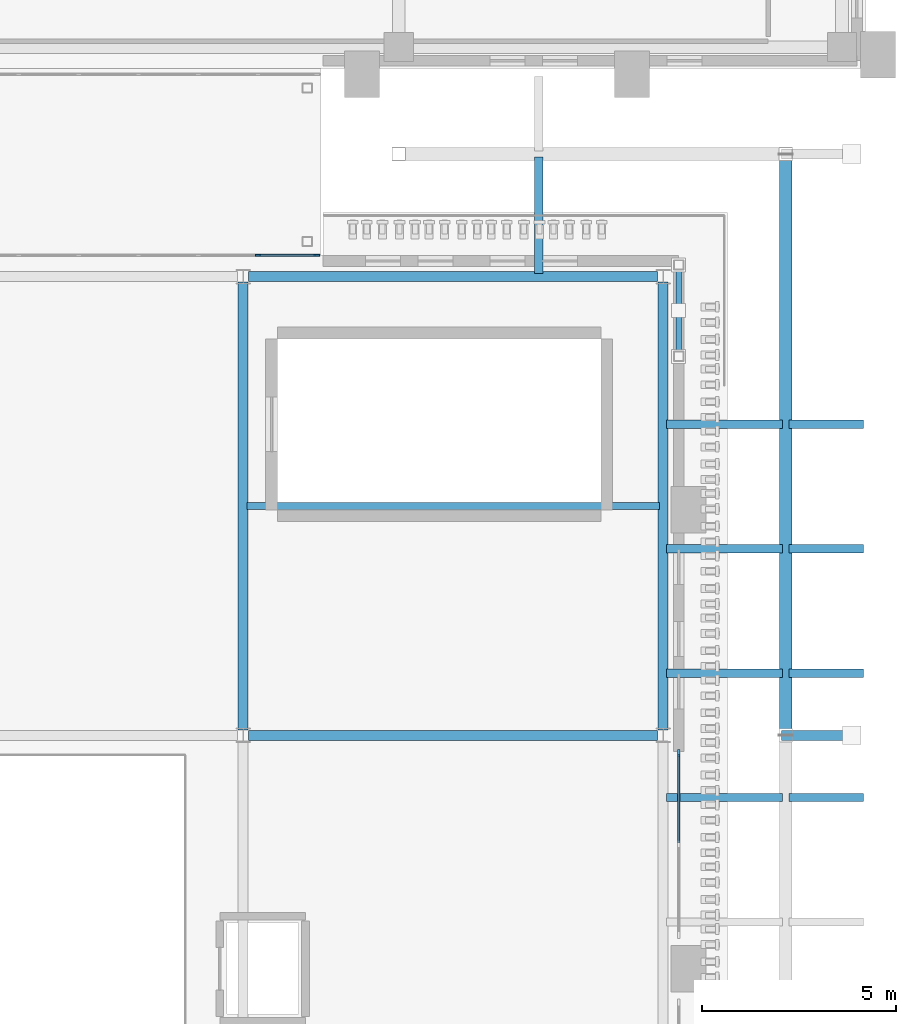
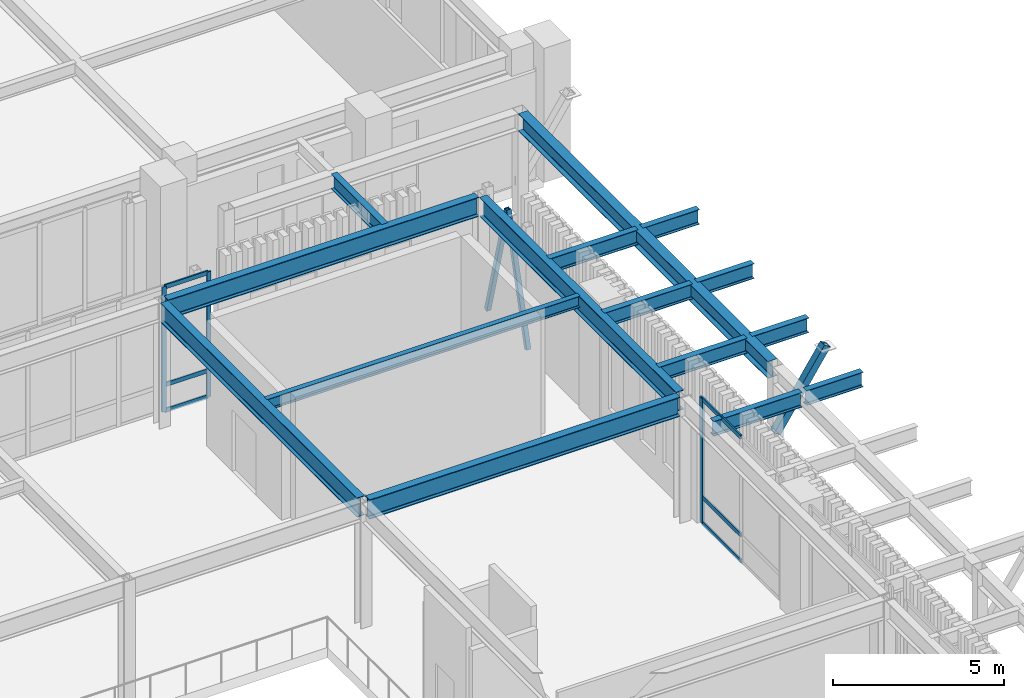
# One storey, part 59 of 126: 15 beams, 12 members, 2 elements without a shape of their own.
"""IFC4 building model written with IfcOpenShell, lengths in metres."""

from ifc_helpers import new_model, si_unit, derived_unit, direction, frame, origin, origin_2d, place, context, subcontext, project, spatial, rectangle, hollow_rectangle, i_section, extrude, material, layer, layer_set, material_profile, profile_set, type_object, element, aggregate, save


model = new_model("IFC4")

# Units and contexts
model_context = context("Model", 3, precision=1e-05, world=origin(), true_north=direction((0.0, 1.0)))
body_context = subcontext(model_context, "Body", "Model", "MODEL_VIEW")
ifc_project = project(units=[si_unit("LENGTHUNIT", "METRE"), si_unit("AREAUNIT", "SQUARE_METRE"), si_unit("VOLUMEUNIT", "CUBIC_METRE"), si_unit("PLANEANGLEUNIT", "RADIAN"), si_unit("MASSUNIT", "GRAM", prefix="KILO"), derived_unit("THERMALTRANSMITTANCEUNIT", [(si_unit("MASSUNIT", "GRAM", prefix="KILO"), 1), (si_unit("TIMEUNIT", "SECOND"), -3), (si_unit("THERMODYNAMICTEMPERATUREUNIT", "KELVIN"), -1)])], contexts=[model_context])

# Site, building, storey
site_placement = place(None, origin())
site = spatial("IfcSite", under=ifc_project, at=site_placement, CompositionType="ELEMENT")
building_placement = place(site_placement, origin())
building = spatial("IfcBuilding", under=site, at=building_placement, Name="Valcora Ridge Arena", CompositionType="ELEMENT")
storey_placement = place(building_placement, frame((0.0, 0.0, 11.39990234375)))
storey = spatial("IfcBuildingStorey", under=building, at=storey_placement, Name="L02", CompositionType="ELEMENT", Elevation=11.39990234375)

# Beams
ifc_material_1 = material(Name="Steel ASTM A572 Grade 50", Category="steel")
ifc_material_profile_1 = material_profile(ifc_material_1, i_section(OverallWidth=0.324951171875, OverallDepth=0.612060546875, WebThickness=0.0126953125, FlangeThickness=0.01904296875, FilletRadius=0.01806640625, at=origin_2d()), Name="W24X104")
ifc_profile_set_1 = profile_set([ifc_material_profile_1], Name="Steel ASTM A572 Grade 50")
beam_type_1 = type_object("IfcBeamType", Name="TY-BEAM-G-COL-W24", PredefinedType="BEAM", material=ifc_profile_set_1)
beam_1_placement = place(storey_placement, frame((189.949951171875, 66.159912109375, 4.174072265625), z_axis=(0.0, 1.0, 0.0), x_axis=(-1.0, 0.0, 0.0)))
element("IfcBeam", 1, at=beam_1_placement, inside=storey, type_object=beam_type_1, Name="G-COL-W24 BEM-G-COL-W24-0012", PredefinedType="BEAM", context=body_context, shape_type="SweptSolid", body=[
    extrude(i_section(OverallWidth=0.324951171875, OverallDepth=0.612060546875, WebThickness=0.0126953125, FlangeThickness=0.01904296875, FilletRadius=0.01806640625, at=origin_2d()), origin(), (0.0, 0.0, 1.0), 14.630126953125),
])
ifc_material_profile_2 = material_profile(ifc_material_1, i_section(OverallWidth=0.256103515625, OverallDepth=0.693115234375, WebThickness=0.014404296875, FlangeThickness=0.023681640625, FilletRadius=0.02001953125, at=origin_2d()), Name="W27X114")
ifc_profile_set_2 = profile_set([ifc_material_profile_2], Name="Steel ASTM A572 Grade 50")
beam_type_2 = type_object("IfcBeamType", Name="TY-BEAM-G-W27X114-X", PredefinedType="BEAM", material=ifc_profile_set_2)
beam_2_placement = place(storey_placement, frame((176.139892578125, 66.0, 4.133544921875), z_axis=(1.0, 0.0, 0.0), x_axis=(0.0, 1.0, 0.0)))
element("IfcBeam", 2, at=beam_2_placement, inside=storey, type_object=beam_type_2, Name="G-W27X114-X BEM-G-W27X114-X-0051", PredefinedType="BEAM", context=body_context, shape_type="SweptSolid", body=[
    extrude(i_section(OverallWidth=0.256103515625, OverallDepth=0.693115234375, WebThickness=0.014404296875, FlangeThickness=0.023681640625, FilletRadius=0.02001953125, at=origin_2d()), origin(), (0.0, 0.0, 1.0), 10.52001953125),
])
ifc_material_profile_3 = material_profile(ifc_material_1, i_section(OverallWidth=0.256103515625, OverallDepth=0.693115234375, WebThickness=0.014404296875, FlangeThickness=0.023681640625, FilletRadius=0.02001953125, at=origin_2d()), Name="W27X114")
ifc_profile_set_3 = profile_set([ifc_material_profile_3], Name="Steel ASTM A572 Grade 50")
beam_type_3 = type_object("IfcBeamType", Name="TY-BEAM-G-W27X114-Y", PredefinedType="BEAM", material=ifc_profile_set_3)
for number, where, z_axis, x_axis, name in (
    (3, (176.0, 66.139892578125, 4.133544921875), (0.0, 1.0, 0.0), (-1.0, 0.0, 0.0), "G-W27X114-Y BEM-G-W27X114-Y-0078"),
    (4, (186.800048828125, 66.139892578125, 4.133544921875), (0.0, 1.0, 0.0), (-1.0, 0.0, 0.0), "G-W27X114-Y BEM-G-W27X114-Y-0084"),
):
    element("IfcBeam", number, at=place(storey_placement, frame(where, z_axis=z_axis, x_axis=x_axis)), inside=storey, type_object=beam_type_3, Name=name, PredefinedType="BEAM", context=body_context, shape_type="SweptSolid", body=[
        extrude(i_section(OverallWidth=0.256103515625, OverallDepth=0.693115234375, WebThickness=0.014404296875, FlangeThickness=0.023681640625, FilletRadius=0.02001953125, at=origin_2d()), origin(), (0.0, 0.0, 1.0), 11.52001953125),
    ])
ifc_material_profile_4 = material_profile(ifc_material_1, i_section(OverallWidth=0.177978515625, OverallDepth=0.406005859375, WebThickness=0.0078125, FlangeThickness=0.0126953125, FilletRadius=0.013916015625, at=origin_2d()), Name="W16X40")
ifc_profile_set_4 = profile_set([ifc_material_profile_4], Name="Steel ASTM A572 Grade 50")
beam_type_4 = type_object("IfcBeamType", Name="TY-BEAM-J-W16X40", PredefinedType="JOIST", material=ifc_profile_set_4)
beam_3_placement = place(storey_placement, frame((176.10009765625, 71.89990234375, 4.277099609375), z_axis=(1.0, 0.0, 0.0), x_axis=(0.0, 1.0, 0.0)))
element("IfcBeam", 5, at=beam_3_placement, inside=storey, type_object=beam_type_4, Name="J-W16X40 BEM-J-W16X40-0023", PredefinedType="JOIST", context=body_context, shape_type="SweptSolid", body=[
    extrude(i_section(OverallWidth=0.177978515625, OverallDepth=0.406005859375, WebThickness=0.0078125, FlangeThickness=0.0126953125, FilletRadius=0.013916015625, at=origin_2d()), origin(), (0.0, 0.0, 1.0), 10.599853515625),
])
ifc_material_profile_5 = material_profile(ifc_material_1, i_section(OverallWidth=0.208984375, OverallDepth=0.532958984375, WebThickness=0.01025390625, FlangeThickness=0.015625, FilletRadius=0.01611328125, at=origin_2d()), Name="W21X62")
ifc_profile_set_5 = profile_set([ifc_material_profile_5], Name="Steel ASTM A572 Grade 50")
beam_type_5 = type_object("IfcBeamType", Name="TY-BEAM-RAF-EAVE-W21E", PredefinedType="BEAM", material=ifc_profile_set_5)
for number, where, z_axis, x_axis, name in (
    (6, (186.8798828125, 64.39990234375, 4.213623046875), (1.0, 0.0, 0.0), (0.0, 1.0, 0.0), "RAF-EAVE-W21E BEM-RAF-EAVE-W21E-0018"),
    (7, (186.8798828125, 67.60009765625, 4.213623046875), (1.0, 0.0, 0.0), (0.0, 1.0, 0.0), "RAF-EAVE-W21E BEM-RAF-EAVE-W21E-0019"),
    (8, (186.8798828125, 70.800048828125, 4.213623046875), (1.0, 0.0, 0.0), (0.0, 1.0, 0.0), "RAF-EAVE-W21E BEM-RAF-EAVE-W21E-0020"),
    (9, (186.8798828125, 74.0, 4.213623046875), (1.0, 0.0, 0.0), (0.0, 1.0, 0.0), "RAF-EAVE-W21E BEM-RAF-EAVE-W21E-0021"),
):
    element("IfcBeam", number, at=place(storey_placement, frame(where, z_axis=z_axis, x_axis=x_axis)), inside=storey, type_object=beam_type_5, Name=name, PredefinedType="BEAM", context=body_context, shape_type="SweptSolid", body=[
        extrude(i_section(OverallWidth=0.208984375, OverallDepth=0.532958984375, WebThickness=0.01025390625, FlangeThickness=0.015625, FilletRadius=0.01611328125, at=origin_2d()), origin(), (0.0, 0.0, 1.0), 2.990234375),
    ])
ifc_material_profile_6 = material_profile(ifc_material_1, i_section(OverallWidth=0.208984375, OverallDepth=0.532958984375, WebThickness=0.01025390625, FlangeThickness=0.015625, FilletRadius=0.01611328125, at=origin_2d()), Name="W21X62")
ifc_profile_set_6 = profile_set([ifc_material_profile_6], Name="Steel ASTM A572 Grade 50")
beam_type_6 = type_object("IfcBeamType", Name="TY-BEAM-RAF-EAVE-W21N", PredefinedType="BEAM", material=ifc_profile_set_6)
beam_4_placement = place(storey_placement, frame((183.60009765625, 77.8798828125, 4.213623046875), z_axis=(0.0, 1.0, 0.0), x_axis=(-1.0, 0.0, 0.0)))
element("IfcBeam", 10, at=beam_4_placement, inside=storey, type_object=beam_type_6, Name="RAF-EAVE-W21N BEM-RAF-EAVE-W21N-0007", PredefinedType="BEAM", context=body_context, shape_type="SweptSolid", body=[
    extrude(i_section(OverallWidth=0.208984375, OverallDepth=0.532958984375, WebThickness=0.01025390625, FlangeThickness=0.015625, FilletRadius=0.01611328125, at=origin_2d()), origin(), (0.0, 0.0, 1.0), 2.990234375),
])
ifc_material_profile_7 = material_profile(ifc_material_1, i_section(OverallWidth=0.208984375, OverallDepth=0.532958984375, WebThickness=0.01025390625, FlangeThickness=0.015625, FilletRadius=0.01611328125, at=origin_2d()), Name="W21X62")
ifc_profile_set_7 = profile_set([ifc_material_profile_7], Name="Steel ASTM A572 Grade 50")
beam_type_7 = type_object("IfcBeamType", Name="TY-BEAM-RAF-TIP-W21E", PredefinedType="BEAM", material=ifc_profile_set_7)
for number, where, z_axis, x_axis, name in (
    (11, (190.030029296875, 64.39990234375, 4.213623046875), (1.0, 0.0, 0.0), (0.0, 1.0, 0.0), "RAF-TIP-W21E BEM-RAF-TIP-W21E-0018"),
    (12, (190.030029296875, 67.60009765625, 4.213623046875), (1.0, 0.0, 0.0), (0.0, 1.0, 0.0), "RAF-TIP-W21E BEM-RAF-TIP-W21E-0019"),
    (13, (190.030029296875, 70.800048828125, 4.213623046875), (1.0, 0.0, 0.0), (0.0, 1.0, 0.0), "RAF-TIP-W21E BEM-RAF-TIP-W21E-0020"),
    (14, (190.030029296875, 74.0, 4.213623046875), (1.0, 0.0, 0.0), (0.0, 1.0, 0.0), "RAF-TIP-W21E BEM-RAF-TIP-W21E-0021"),
):
    element("IfcBeam", number, at=place(storey_placement, frame(where, z_axis=z_axis, x_axis=x_axis)), inside=storey, type_object=beam_type_7, Name=name, PredefinedType="BEAM", context=body_context, shape_type="SweptSolid", body=[
        extrude(i_section(OverallWidth=0.208984375, OverallDepth=0.532958984375, WebThickness=0.01025390625, FlangeThickness=0.015625, FilletRadius=0.01611328125, at=origin_2d()), origin(), (0.0, 0.0, 1.0), 1.919921875),
    ])
ifc_material_profile_8 = material_profile(ifc_material_1, i_section(OverallWidth=0.256103515625, OverallDepth=0.693115234375, WebThickness=0.014404296875, FlangeThickness=0.023681640625, FilletRadius=0.02001953125, at=origin_2d()), Name="W27X114")
ifc_profile_set_8 = profile_set([ifc_material_profile_8], Name="Steel ASTM A572 Grade 50")
beam_type_8 = type_object("IfcBeamType", Name="TY-BEAM-SP-W27X114", PredefinedType="SPANDREL", material=ifc_profile_set_8)
beam_5_placement = place(storey_placement, frame((176.139892578125, 77.800048828125, 4.133544921875), z_axis=(1.0, 0.0, 0.0), x_axis=(0.0, 1.0, 0.0)))
element("IfcBeam", 15, at=beam_5_placement, inside=storey, type_object=beam_type_8, Name="SP-W27X114 BEM-SP-W27X114-0030", PredefinedType="SPANDREL", context=body_context, shape_type="SweptSolid", body=[
    extrude(i_section(OverallWidth=0.256103515625, OverallDepth=0.693115234375, WebThickness=0.014404296875, FlangeThickness=0.023681640625, FilletRadius=0.02001953125, at=origin_2d()), origin(), (0.0, 0.0, 1.0), 10.52001953125),
])

# Curtain wall, members
ifc_material_2 = material(Name="Anodised dark bronze architectural aluminium 6063-T6", Category="aluminium")
ifc_layer_1 = layer(ifc_material_2, 0.14990234375, Name="Anodised dark bronze architectural aluminium 6063-T6")
ifc_layer_set_1 = layer_set([ifc_layer_1], Name="Anodised dark bronze architectural aluminium 6063-T6")
curtain_wall_type_1 = type_object("IfcCurtainWallType", Name="TY-CURTAINWALL-CW-BRG-138X45", PredefinedType="NOTDEFINED", material=ifc_layer_set_1)
curtain_wall_1_placement = place(storey_placement, origin())
curtain_wall_1 = element("IfcCurtainWall", 16, at=curtain_wall_1_placement, inside=storey, type_object=curtain_wall_type_1, Name="CW-BRG-138X45 CW-0358", PredefinedType="NOTDEFINED")
ifc_material_profile_9 = material_profile(ifc_material_2, rectangle(XDim=0.050048828125, YDim=0.14990234375, at=origin_2d()), Name="ALU MULLION 50x150")
ifc_profile_set_9 = profile_set([ifc_material_profile_9], Name="Anodised dark bronze architectural aluminium 6063-T6")
member_type_1 = type_object("IfcMemberType", Name="TY-MEM-CWM-50x150", PredefinedType="MULLION", material=ifc_profile_set_9)
member_1_placement = place(storey_placement, frame((176.382080078125, 78.35009765625, 0.0), z_axis=(0.0, 0.0, 1.0), x_axis=(0.0, 1.0, 0.0)))
member_1 = element("IfcMember", 17, at=member_1_placement, type_object=member_type_1, Name="CW-0358/CWM-50x150/M08", PredefinedType="MULLION", context=body_context, shape_type="SweptSolid", body=[
    extrude(rectangle(XDim=0.050048828125, YDim=0.14990234375, at=origin_2d()), origin(), (0.0, 0.0, 1.0), 4.47998046875),
])
member_2_placement = place(storey_placement, frame((177.89501953125, 78.35009765625, 0.0), z_axis=(0.0, 0.0, 1.0), x_axis=(0.0, 1.0, 0.0)))
member_2 = element("IfcMember", 18, at=member_2_placement, type_object=member_type_1, Name="CW-0358/CWM-50x150/M09", PredefinedType="MULLION", context=body_context, shape_type="SweptSolid", body=[
    extrude(rectangle(XDim=0.050048828125, YDim=0.14990234375, at=origin_2d()), origin(), (0.0, 0.0, 1.0), 4.47998046875),
])

ifc_layer_2 = layer(ifc_material_2, 0.179931640625, Name="Anodised dark bronze architectural aluminium 6063-T6")
ifc_layer_set_2 = layer_set([ifc_layer_2], Name="Anodised dark bronze architectural aluminium 6063-T6")
curtain_wall_type_2 = type_object("IfcCurtainWallType", Name="TY-CURTAINWALL-CW-V2-GLAZ-047X45", PredefinedType="NOTDEFINED", material=ifc_layer_set_2)
curtain_wall_2_placement = place(storey_placement, origin())
curtain_wall_2 = element("IfcCurtainWall", 19, at=curtain_wall_2_placement, inside=storey, type_object=curtain_wall_type_2, Name="CW-V2-GLAZ-047X45 CW-0078", PredefinedType="NOTDEFINED")
ifc_material_profile_10 = material_profile(ifc_material_2, rectangle(XDim=0.06005859375, YDim=0.179931640625, at=origin_2d()), Name="ALU MULLION 60x180")
ifc_profile_set_10 = profile_set([ifc_material_profile_10], Name="Anodised dark bronze architectural aluminium 6063-T6")
member_type_2 = type_object("IfcMemberType", Name="TY-MEM-CWM-60x180", PredefinedType="MULLION", material=ifc_profile_set_10)
member_3_placement = place(storey_placement, frame((187.199951171875, 65.54345703125, 0.0), z_axis=(0.0, 0.0, 1.0), x_axis=(-1.0, 0.0, 0.0)))
member_3 = element("IfcMember", 20, at=member_3_placement, type_object=member_type_2, Name="CW-0078/CWM-60x180/M02", PredefinedType="MULLION", context=body_context, shape_type="SweptSolid", body=[
    extrude(rectangle(XDim=0.06005859375, YDim=0.179931640625, at=origin_2d()), origin(), (0.0, 0.0, 1.0), 4.47998046875),
])
ifc_material_profile_11 = material_profile(ifc_material_2, rectangle(XDim=0.050048828125, YDim=0.14990234375, at=origin_2d()), Name="ALU TRANSOM 50x150")
ifc_profile_set_11 = profile_set([ifc_material_profile_11], Name="Anodised dark bronze architectural aluminium 6063-T6")
member_type_3 = type_object("IfcMemberType", Name="TY-MEM-CWT-50x150", PredefinedType="USERDEFINED", material=ifc_profile_set_11)
member_4_placement = place(storey_placement, frame((187.199951171875, 63.237060546875, 0.025146484375), z_axis=(0.0, 1.0, 0.0), x_axis=(-1.0, 0.0, 0.0)))
member_4 = element("IfcMember", 21, at=member_4_placement, type_object=member_type_3, Name="CW-0078/CWT-50x150/T01-00", ObjectType="TRANSOM", PredefinedType="USERDEFINED", context=body_context, shape_type="SweptSolid", body=[
    extrude(rectangle(XDim=0.050048828125, YDim=0.14990234375, at=origin_2d()), origin(), (0.0, 0.0, 1.0), 2.27587890625),
])
member_5_placement = place(storey_placement, frame((187.199951171875, 63.237060546875, 0.9501953125), z_axis=(0.0, 1.0, 0.0), x_axis=(-1.0, 0.0, 0.0)))
member_5 = element("IfcMember", 22, at=member_5_placement, type_object=member_type_3, Name="CW-0078/CWT-50x150/T01-01", ObjectType="TRANSOM", PredefinedType="USERDEFINED", context=body_context, shape_type="SweptSolid", body=[
    extrude(rectangle(XDim=0.050048828125, YDim=0.14990234375, at=origin_2d()), origin(), (0.0, 0.0, 1.0), 2.27587890625),
])
member_6_placement = place(storey_placement, frame((187.199951171875, 63.237060546875, 4.455078125), z_axis=(0.0, 1.0, 0.0), x_axis=(-1.0, 0.0, 0.0)))
member_6 = element("IfcMember", 23, at=member_6_placement, type_object=member_type_3, Name="CW-0078/CWT-50x150/T01-02", ObjectType="TRANSOM", PredefinedType="USERDEFINED", context=body_context, shape_type="SweptSolid", body=[
    extrude(rectangle(XDim=0.050048828125, YDim=0.14990234375, at=origin_2d()), origin(), (0.0, 0.0, 1.0), 2.27587890625),
])
aggregate(curtain_wall_2, [member_3, member_4, member_5, member_6])

# Member
member_7_placement = place(storey_placement, frame((176.406982421875, 78.35009765625, 0.025146484375), z_axis=(1.0, 0.0, 0.0), x_axis=(0.0, 1.0, 0.0)))
member_7 = element("IfcMember", 24, at=member_7_placement, type_object=member_type_3, Name="CW-0358/CWT-50x150/T08-00", ObjectType="TRANSOM", PredefinedType="USERDEFINED", context=body_context, shape_type="SweptSolid", body=[
    extrude(rectangle(XDim=0.050048828125, YDim=0.14990234375, at=origin_2d()), origin(), (0.0, 0.0, 1.0), 1.463134765625),
])

member_8_placement = place(storey_placement, frame((176.406982421875, 78.35009765625, 0.9501953125), z_axis=(1.0, 0.0, 0.0), x_axis=(0.0, 1.0, 0.0)))
member_8 = element("IfcMember", 25, at=member_8_placement, type_object=member_type_3, Name="CW-0358/CWT-50x150/T08-01", ObjectType="TRANSOM", PredefinedType="USERDEFINED", context=body_context, shape_type="SweptSolid", body=[
    extrude(rectangle(XDim=0.050048828125, YDim=0.14990234375, at=origin_2d()), origin(), (0.0, 0.0, 1.0), 1.463134765625),
])

member_9_placement = place(storey_placement, frame((176.406982421875, 78.35009765625, 4.455078125), z_axis=(1.0, 0.0, 0.0), x_axis=(0.0, 1.0, 0.0)))
member_9 = element("IfcMember", 26, at=member_9_placement, type_object=member_type_3, Name="CW-0358/CWT-50x150/T08-02", ObjectType="TRANSOM", PredefinedType="USERDEFINED", context=body_context, shape_type="SweptSolid", body=[
    extrude(rectangle(XDim=0.050048828125, YDim=0.14990234375, at=origin_2d()), origin(), (0.0, 0.0, 1.0), 1.463134765625),
])

aggregate(curtain_wall_1, [member_1, member_2, member_7, member_8, member_9])

# Members
ifc_material_3 = material(Name="Steel ASTM A500 Grade C", Category="steel")
ifc_material_profile_12 = material_profile(ifc_material_3, hollow_rectangle(XDim=0.14990234375, YDim=0.14990234375, WallThickness=0.010009765625, at=origin_2d()), Name="HSS150X150X10")
ifc_profile_set_12 = profile_set([ifc_material_profile_12], Name="Steel ASTM A500 Grade C")
member_type_4 = type_object("IfcMemberType", Name="TY-MEMBER-CBF-150A", PredefinedType="BRACE", material=ifc_profile_set_12)
member_10_placement = place(storey_placement, frame((187.199951171875, 75.75, 0.02001953125), z_axis=(0.0, 0.263599333095, 0.96463225718), x_axis=(-1.0, 0.0, 0.0)))
element("IfcMember", 27, at=member_10_placement, inside=storey, type_object=member_type_4, Name="CBF-150A Diagonal Brace", PredefinedType="BRACE", context=body_context, shape_type="SweptSolid", body=[
    extrude(hollow_rectangle(XDim=0.14990234375, YDim=0.14990234375, WallThickness=0.010009765625, at=origin_2d()), origin(), (0.0, 0.0, 1.0), 4.457763671875),
])
ifc_material_profile_13 = material_profile(ifc_material_3, hollow_rectangle(XDim=0.14990234375, YDim=0.14990234375, WallThickness=0.010009765625, at=origin_2d()), Name="HSS150X150X10")
ifc_profile_set_13 = profile_set([ifc_material_profile_13], Name="Steel ASTM A500 Grade C")
member_type_5 = type_object("IfcMemberType", Name="TY-MEMBER-CBF-150B", PredefinedType="BRACE", material=ifc_profile_set_13)
member_11_placement = place(storey_placement, frame((187.199951171875, 78.10009765625, 0.02001953125), z_axis=(0.0, -0.263599333095, 0.96463225718), x_axis=(1.0, 0.0, 0.0)))
element("IfcMember", 28, at=member_11_placement, inside=storey, type_object=member_type_5, Name="CBF-150B Diagonal Brace", PredefinedType="BRACE", context=body_context, shape_type="SweptSolid", body=[
    extrude(hollow_rectangle(XDim=0.14990234375, YDim=0.14990234375, WallThickness=0.010009765625, at=origin_2d()), origin(), (0.0, 0.0, 1.0), 4.457763671875),
])
ifc_material_profile_14 = material_profile(ifc_material_3, hollow_rectangle(XDim=0.25, YDim=0.25, WallThickness=0.012451171875, at=origin_2d()), Name="HSS250X250X12")
ifc_profile_set_14 = profile_set([ifc_material_profile_14], Name="Steel ASTM A500 Grade C")
member_type_6 = type_object("IfcMemberType", Name="TY-MEMBER-KBG-250", PredefinedType="BRACE", material=ifc_profile_set_14)
member_12_placement = place(storey_placement, frame((189.949951171875, 66.0, 2.0), z_axis=(0.55317758564, 0.0, 0.833063358182), x_axis=(0.0, 1.0, 0.0)))
element("IfcMember", 29, at=member_12_placement, inside=storey, type_object=member_type_6, Name="KBG-250 Knee Brace", PredefinedType="BRACE", context=body_context, shape_type="SweptSolid", body=[
    extrude(hollow_rectangle(XDim=0.25, YDim=0.25, WallThickness=0.012451171875, at=origin_2d()), origin(), (0.0, 0.0, 1.0), 3.072998046875),
])

save(model, "model.ifc")
